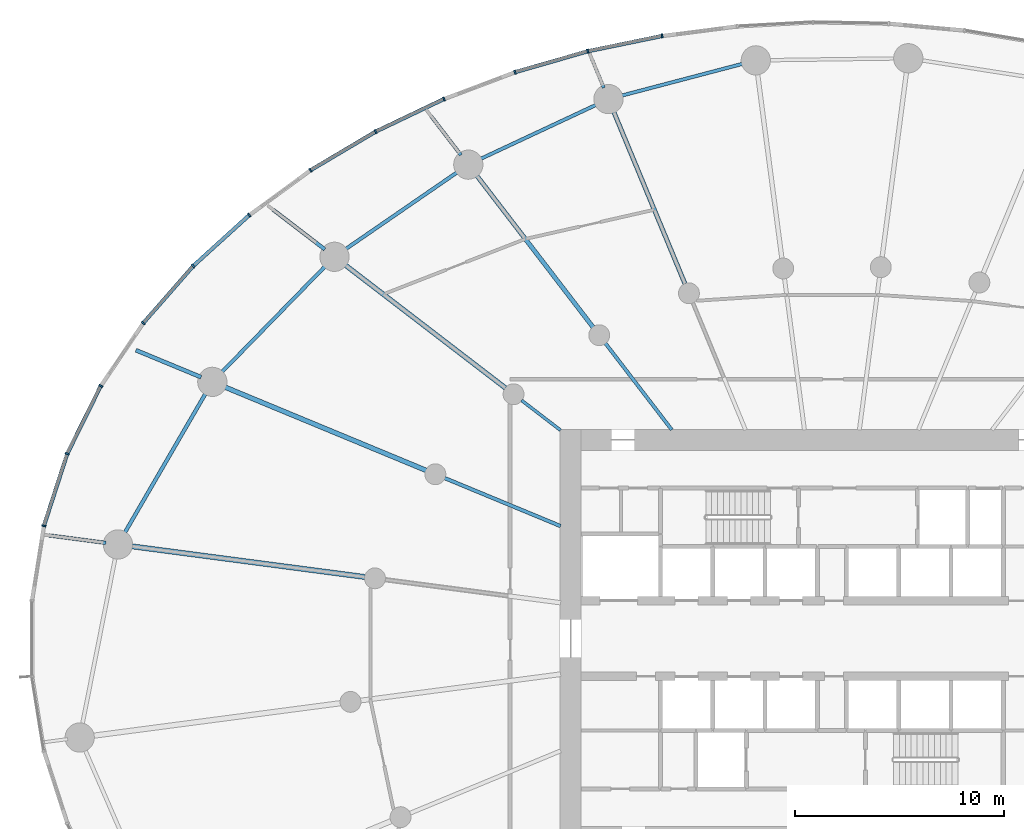
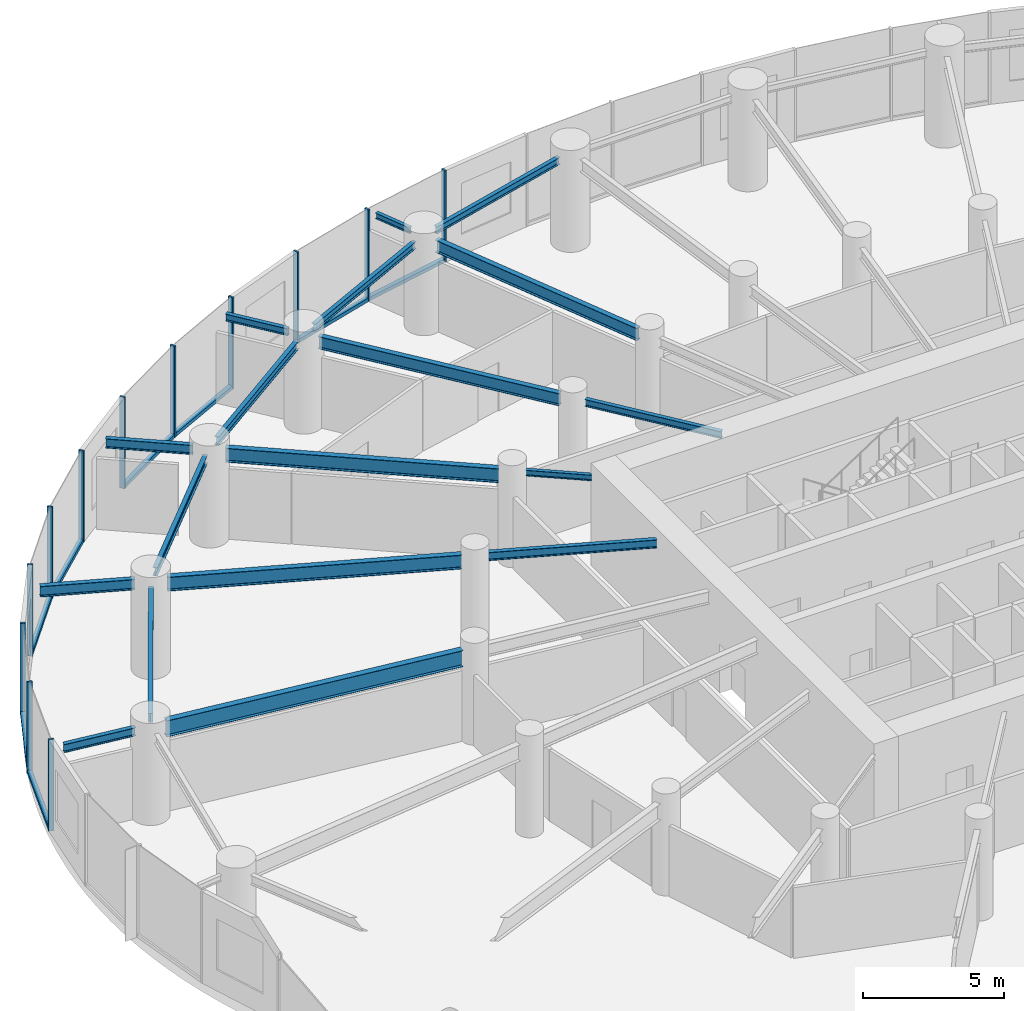
# One storey, part 6 of 19: 20 members, 18 beams, 3 elements without a shape of their own.
"""IFC4 building model written with IfcOpenShell, lengths in metres."""

from ifc_helpers import new_model, si_unit, direction, frame, origin, origin_2d, place, context, subcontext, project, spatial, rectangle, i_section, extrude, source, transform, mapped, material, layer, layer_set, material_profile, profile_set, type_object, element, aggregate, save


model = new_model("IFC4")

# Units and contexts
model_context = context("Model", 3, precision=1e-05, world=origin(), true_north=direction((0.0, 1.0)))
body_context = subcontext(model_context, "Body", "Model", "MODEL_VIEW")
ifc_project = project(units=[si_unit("LENGTHUNIT", "METRE"), si_unit("AREAUNIT", "SQUARE_METRE"), si_unit("VOLUMEUNIT", "CUBIC_METRE"), si_unit("PLANEANGLEUNIT", "RADIAN"), si_unit("MASSUNIT", "GRAM", prefix="KILO")], contexts=[model_context])

# Site, building, storey
site_placement = place(None, origin())
site = spatial("IfcSite", under=ifc_project, at=site_placement, CompositionType="ELEMENT")
building_placement = place(site_placement, origin())
building = spatial("IfcBuilding", under=site, at=building_placement, Name="Spindrift Exchange Tower", CompositionType="ELEMENT")
storey_placement = place(building_placement, frame((0.0, 0.0, 22.60009765625)))
storey = spatial("IfcBuildingStorey", under=building, at=storey_placement, Name="L05", CompositionType="ELEMENT", Elevation=22.60009765625)

# Beams
ifc_material_1 = material(Name="Steel Grade 300", Category="steel")
ifc_material_profile_1 = material_profile(ifc_material_1, i_section(OverallWidth=0.208984375, OverallDepth=0.532958984375, WebThickness=0.01025390625, FlangeThickness=0.015625, FilletRadius=0.013916015625, at=origin_2d()), Name="530UB92.4")
ifc_profile_set_1 = profile_set([ifc_material_profile_1], Name="Steel Grade 300")
beam_type_1 = type_object("IfcBeamType", Name="Floor Beam 530UB92.4 Steel Grade 300", PredefinedType="BEAM", material=ifc_profile_set_1)
shared_shape_1 = source(origin(), body_context, "Body", "SweptSolid", [
    extrude(i_section(OverallWidth=0.208984375, OverallDepth=0.532958984375, WebThickness=0.01025390625, FlangeThickness=0.015625, FilletRadius=0.013916015625, at=origin_2d()), origin(), (0.0, 0.0, 1.0), 8.99658203125),
])
beam_1_placement = place(storey_placement, frame((44.974609375, 64.9609375, 3.683349609375), z_axis=(-0.382685731718, 0.923878580085, 0.0), x_axis=(-0.923878580085, -0.382685731718, 0.0)))
element("IfcBeam", 1, at=beam_1_placement, inside=storey, type_object=beam_type_1, Name="L05 radial beam R08B", PredefinedType="BEAM", context=body_context, shape_type="MappedRepresentation", body=[
    mapped(shared_shape_1, transform((0.0, 0.0, 0.0), scale=1.0)),
])
ifc_material_profile_2 = material_profile(ifc_material_1, i_section(OverallWidth=0.1650390625, OverallDepth=0.303955078125, WebThickness=0.006103515625, FlangeThickness=0.01025390625, FilletRadius=0.011474609375, at=origin_2d()), Name="310UB40.4")
ifc_profile_set_2 = profile_set([ifc_material_profile_2], Name="Steel Grade 300")
beam_type_2 = type_object("IfcBeamType", Name="Floor Beam 310UB40.4 Steel Grade 300", PredefinedType="BEAM", material=ifc_profile_set_2)
shared_shape_2 = source(origin(), body_context, "Body", "SweptSolid", [
    extrude(i_section(OverallWidth=0.1650390625, OverallDepth=0.303955078125, WebThickness=0.006103515625, FlangeThickness=0.01025390625, FilletRadius=0.011474609375, at=origin_2d()), origin(), (0.0, 0.0, 1.0), 5.224609375),
])
beam_2_placement = place(storey_placement, frame((44.3388671875, 57.984130859375, 3.7978515625), z_axis=(-0.608741499316, 0.793368632485, 0.0), x_axis=(-0.793368632485, -0.608741499316, 0.0)))
element("IfcBeam", 2, at=beam_2_placement, inside=storey, type_object=beam_type_2, Name="L05 radial beam R09A", PredefinedType="BEAM", context=body_context, shape_type="MappedRepresentation", body=[
    mapped(shared_shape_2, transform((0.0, 0.0, 0.0), scale=1.0)),
])
shared_shape_3 = source(origin(), body_context, "Body", "SweptSolid", [
    extrude(i_section(OverallWidth=0.208984375, OverallDepth=0.532958984375, WebThickness=0.01025390625, FlangeThickness=0.015625, FilletRadius=0.013916015625, at=origin_2d()), origin(), (0.0, 0.0, 1.0), 9.227783203125),
])
beam_3_placement = place(storey_placement, frame((40.573974609375, 62.890625, 3.683349609375), z_axis=(-0.608747534474, 0.79336400175, 0.0), x_axis=(-0.79336400175, -0.608747534474, 0.0)))
element("IfcBeam", 3, at=beam_3_placement, inside=storey, type_object=beam_type_1, Name="L05 radial beam R09B", PredefinedType="BEAM", context=body_context, shape_type="MappedRepresentation", body=[
    mapped(shared_shape_3, transform((0.0, 0.0, 0.0), scale=1.0)),
])
ifc_material_profile_3 = material_profile(ifc_material_1, i_section(OverallWidth=0.14599609375, OverallDepth=0.251953125, WebThickness=0.006103515625, FlangeThickness=0.008544921875, FilletRadius=0.011962890625, at=origin_2d()), Name="250UB31.4")
ifc_profile_set_3 = profile_set([ifc_material_profile_3], Name="Steel Grade 300")
beam_type_3 = type_object("IfcBeamType", Name="Floor Beam 250UB31.4 Steel Grade 300", PredefinedType="BEAM", material=ifc_profile_set_3)
shared_shape_4 = source(origin(), body_context, "Body", "SweptSolid", [
    extrude(i_section(OverallWidth=0.14599609375, OverallDepth=0.251953125, WebThickness=0.006103515625, FlangeThickness=0.008544921875, FilletRadius=0.011962890625, at=origin_2d()), origin(), (0.0, 0.0, 1.0), 2.353759765625),
])
beam_4_placement = place(storey_placement, frame((39.015869140625, 57.963134765625, 3.823974609375), z_axis=(-0.793367573265, 0.608742879787, 0.0), x_axis=(-0.608742879787, -0.793367573265, 0.0)))
element("IfcBeam", 4, at=beam_4_placement, inside=storey, type_object=beam_type_3, Name="L05 radial beam R10A", PredefinedType="BEAM", context=body_context, shape_type="MappedRepresentation", body=[
    mapped(shared_shape_4, transform((0.0, 0.0, 0.0), scale=1.0)),
])
ifc_material_profile_4 = material_profile(ifc_material_1, i_section(OverallWidth=0.22802734375, OverallDepth=0.60693359375, WebThickness=0.01123046875, FlangeThickness=0.017333984375, FilletRadius=0.013916015625, at=origin_2d()), Name="610UB113")
ifc_profile_set_4 = profile_set([ifc_material_profile_4], Name="Steel Grade 300")
beam_type_4 = type_object("IfcBeamType", Name="Floor Beam 610UB113 Steel Grade 300", PredefinedType="BEAM", material=ifc_profile_set_4)
shared_shape_5 = source(origin(), body_context, "Body", "SweptSolid", [
    extrude(i_section(OverallWidth=0.22802734375, OverallDepth=0.60693359375, WebThickness=0.01123046875, FlangeThickness=0.017333984375, FilletRadius=0.013916015625, at=origin_2d()), origin(), (0.0, 0.0, 1.0), 9.73974609375),
])
beam_5_placement = place(storey_placement, frame((36.38671875, 59.98046875, 3.646484375), z_axis=(-0.793352119621, 0.608763019814, 0.0), x_axis=(-0.608763019814, -0.793352119621, 0.0)))
element("IfcBeam", 5, at=beam_5_placement, inside=storey, type_object=beam_type_4, Name="L05 radial beam R10B", PredefinedType="BEAM", context=body_context, shape_type="MappedRepresentation", body=[
    mapped(shared_shape_5, transform((0.0, 0.0, 0.0), scale=1.0)),
])
ifc_material_profile_5 = material_profile(ifc_material_1, i_section(OverallWidth=0.172119140625, OverallDepth=0.35888671875, WebThickness=0.008056640625, FlangeThickness=0.012939453125, FilletRadius=0.013916015625, at=origin_2d()), Name="360UB56.7")
ifc_profile_set_5 = profile_set([ifc_material_profile_5], Name="Steel Grade 300")
beam_type_5 = type_object("IfcBeamType", Name="Floor Beam 360UB56.7 Steel Grade 300", PredefinedType="BEAM", material=ifc_profile_set_5)
shared_shape_6 = source(origin(), body_context, "Body", "SweptSolid", [
    extrude(i_section(OverallWidth=0.172119140625, OverallDepth=0.35888671875, WebThickness=0.008056640625, FlangeThickness=0.012939453125, FilletRadius=0.013916015625, at=origin_2d()), origin(), (0.0, 0.0, 1.0), 6.004638671875),
])
beam_6_placement = place(storey_placement, frame((39.0185546875, 53.377197265625, 3.7705078125), z_axis=(-0.923882044911, 0.38267736684, 0.0), x_axis=(-0.38267736684, -0.923882044911, 0.0)))
element("IfcBeam", 6, at=beam_6_placement, inside=storey, type_object=beam_type_5, Name="L05 radial beam R11A", PredefinedType="BEAM", context=body_context, shape_type="MappedRepresentation", body=[
    mapped(shared_shape_6, transform((0.0, 0.0, 0.0), scale=1.0)),
])
shared_shape_7 = source(origin(), body_context, "Body", "SweptSolid", [
    extrude(i_section(OverallWidth=0.22802734375, OverallDepth=0.60693359375, WebThickness=0.01123046875, FlangeThickness=0.017333984375, FilletRadius=0.013916015625, at=origin_2d()), origin(), (0.0, 0.0, 1.0), 10.4912109375),
])
beam_7_placement = place(storey_placement, frame((32.583984375, 56.04248046875, 3.646484375), z_axis=(-0.923885231151, 0.382669674342, 0.0), x_axis=(-0.382669674342, -0.923885231151, 0.0)))
element("IfcBeam", 7, at=beam_7_placement, inside=storey, type_object=beam_type_4, Name="L05 radial beam R11B", PredefinedType="BEAM", context=body_context, shape_type="MappedRepresentation", body=[
    mapped(shared_shape_7, transform((0.0, 0.0, 0.0), scale=1.0)),
])
ifc_material_profile_6 = material_profile(ifc_material_1, i_section(OverallWidth=0.25, OverallDepth=0.699951171875, WebThickness=0.008056640625, FlangeThickness=0.011962890625, at=origin_2d()), Name="700WB115")
ifc_profile_set_6 = profile_set([ifc_material_profile_6], Name="Steel Grade 300")
beam_type_6 = type_object("IfcBeamType", Name="Floor Beam 700WB115 Steel Grade 300", PredefinedType="BEAM", material=ifc_profile_set_6)
shared_shape_8 = source(origin(), body_context, "Body", "SweptSolid", [
    extrude(i_section(OverallWidth=0.25, OverallDepth=0.699951171875, WebThickness=0.008056640625, FlangeThickness=0.011962890625, at=origin_2d()), origin(), (0.0, 0.0, 1.0), 11.34423828125),
])
beam_8_placement = place(storey_placement, frame((29.660888671875, 50.94091796875, 3.599853515625), z_axis=(-0.991444770187, 0.130526884848, 0.0), x_axis=(-0.130526884848, -0.991444770187, 0.0)))
element("IfcBeam", 8, at=beam_8_placement, inside=storey, type_object=beam_type_6, Name="L05 radial beam R12B", PredefinedType="BEAM", context=body_context, shape_type="MappedRepresentation", body=[
    mapped(shared_shape_8, transform((0.0, 0.0, 0.0), scale=1.0)),
])
ifc_material_profile_7 = material_profile(ifc_material_1, i_section(OverallWidth=0.1650390625, OverallDepth=0.303955078125, WebThickness=0.006103515625, FlangeThickness=0.01025390625, FilletRadius=0.011474609375, at=origin_2d()), Name="310UB40.4")
ifc_profile_set_7 = profile_set([ifc_material_profile_7], Name="Steel Grade 300")
beam_type_7 = type_object("IfcBeamType", Name="Edge Beam 310UB40.4 Steel Grade 300", PredefinedType="SPANDREL", material=ifc_profile_set_7)
shared_shape_9 = source(origin(), body_context, "Body", "SweptSolid", [
    extrude(i_section(OverallWidth=0.1650390625, OverallDepth=0.303955078125, WebThickness=0.006103515625, FlangeThickness=0.01025390625, FilletRadius=0.011474609375, at=origin_2d()), origin(), (0.0, 0.0, 1.0), 6.128173828125),
])
beam_9_placement = place(storey_placement, frame((47.79736328125, 75.513916015625, 3.7978515625), z_axis=(-0.967147261855, -0.254216785216, 0.0), x_axis=(0.254216785216, -0.967147261855, 0.0)))
element("IfcBeam", 9, at=beam_9_placement, inside=storey, type_object=beam_type_7, Name="L05 edge beam E07", PredefinedType="SPANDREL", context=body_context, shape_type="MappedRepresentation", body=[
    mapped(shared_shape_9, transform((0.0, 0.0, 0.0), scale=1.0)),
])
shared_shape_10 = source(origin(), body_context, "Body", "SweptSolid", [
    extrude(i_section(OverallWidth=0.1650390625, OverallDepth=0.303955078125, WebThickness=0.006103515625, FlangeThickness=0.01025390625, FilletRadius=0.011474609375, at=origin_2d()), origin(), (0.0, 0.0, 1.0), 6.243408203125),
])
beam_10_placement = place(storey_placement, frame((40.7841796875, 73.56298828125, 3.7978515625), z_axis=(-0.905791146607, -0.423724437257, 0.0), x_axis=(0.423724437257, -0.905791146607, 0.0)))
element("IfcBeam", 10, at=beam_10_placement, inside=storey, type_object=beam_type_7, Name="L05 edge beam E08", PredefinedType="SPANDREL", context=body_context, shape_type="MappedRepresentation", body=[
    mapped(shared_shape_10, transform((0.0, 0.0, 0.0), scale=1.0)),
])
ifc_material_profile_8 = material_profile(ifc_material_1, i_section(OverallWidth=0.172119140625, OverallDepth=0.35888671875, WebThickness=0.008056640625, FlangeThickness=0.012939453125, FilletRadius=0.013916015625, at=origin_2d()), Name="360UB56.7")
ifc_profile_set_8 = profile_set([ifc_material_profile_8], Name="Steel Grade 300")
beam_type_8 = type_object("IfcBeamType", Name="Edge Beam 360UB56.7 Steel Grade 300", PredefinedType="SPANDREL", material=ifc_profile_set_8)
shared_shape_11 = source(origin(), body_context, "Body", "SweptSolid", [
    extrude(i_section(OverallWidth=0.172119140625, OverallDepth=0.35888671875, WebThickness=0.008056640625, FlangeThickness=0.012939453125, FilletRadius=0.013916015625, at=origin_2d()), origin(), (0.0, 0.0, 1.0), 6.614990234375),
])
beam_11_placement = place(storey_placement, frame((34.125732421875, 70.3427734375, 3.7705078125), z_axis=(-0.823690708835, -0.567039342708, 0.0), x_axis=(0.567039342708, -0.823690708835, 0.0)))
element("IfcBeam", 11, at=beam_11_placement, inside=storey, type_object=beam_type_8, Name="L05 edge beam E09", PredefinedType="SPANDREL", context=body_context, shape_type="MappedRepresentation", body=[
    mapped(shared_shape_11, transform((0.0, 0.0, 0.0), scale=1.0)),
])
shared_shape_12 = source(origin(), body_context, "Body", "SweptSolid", [
    extrude(i_section(OverallWidth=0.172119140625, OverallDepth=0.35888671875, WebThickness=0.008056640625, FlangeThickness=0.012939453125, FilletRadius=0.013916015625, at=origin_2d()), origin(), (0.0, 0.0, 1.0), 7.2041015625),
])
beam_12_placement = place(storey_placement, frame((27.794189453125, 65.847900390625, 3.7705078125), z_axis=(-0.698703626006, -0.715411240481, 0.0), x_axis=(0.715411240481, -0.698703626006, 0.0)))
element("IfcBeam", 12, at=beam_12_placement, inside=storey, type_object=beam_type_8, Name="L05 edge beam E10", PredefinedType="SPANDREL", context=body_context, shape_type="MappedRepresentation", body=[
    mapped(shared_shape_12, transform((0.0, 0.0, 0.0), scale=1.0)),
])
ifc_material_profile_9 = material_profile(ifc_material_1, i_section(OverallWidth=0.177978515625, OverallDepth=0.406005859375, WebThickness=0.0078125, FlangeThickness=0.0126953125, FilletRadius=0.013916015625, at=origin_2d()), Name="410UB59.7")
ifc_profile_set_9 = profile_set([ifc_material_profile_9], Name="Steel Grade 300")
beam_type_9 = type_object("IfcBeamType", Name="Edge Beam 410UB59.7 Steel Grade 300", PredefinedType="SPANDREL", material=ifc_profile_set_9)
shared_shape_13 = source(origin(), body_context, "Body", "SweptSolid", [
    extrude(i_section(OverallWidth=0.177978515625, OverallDepth=0.406005859375, WebThickness=0.0078125, FlangeThickness=0.0126953125, FilletRadius=0.013916015625, at=origin_2d()), origin(), (0.0, 0.0, 1.0), 7.837646484375),
])
beam_13_placement = place(storey_placement, frame((22.064208984375, 59.777587890625, 3.746826171875), z_axis=(-0.50198145655, -0.864878382942, 0.0), x_axis=(0.864878382942, -0.50198145655, 0.0)))
element("IfcBeam", 13, at=beam_13_placement, inside=storey, type_object=beam_type_9, Name="L05 edge beam E11", PredefinedType="SPANDREL", context=body_context, shape_type="MappedRepresentation", body=[
    mapped(shared_shape_13, transform((0.0, 0.0, 0.0), scale=1.0)),
])
ifc_material_profile_10 = material_profile(ifc_material_1, i_section(OverallWidth=0.14599609375, OverallDepth=0.251953125, WebThickness=0.006103515625, FlangeThickness=0.008544921875, FilletRadius=0.011962890625, at=origin_2d()), Name="250UB31.4")
ifc_profile_set_10 = profile_set([ifc_material_profile_10], Name="Steel Grade 300")
beam_type_10 = type_object("IfcBeamType", Name="Cantilever Beam 250UB31.4 Steel Grade 300", PredefinedType="BEAM", material=ifc_profile_set_10)
shared_shape_14 = source(origin(), body_context, "Body", "SweptSolid", [
    extrude(i_section(OverallWidth=0.14599609375, OverallDepth=0.251953125, WebThickness=0.006103515625, FlangeThickness=0.008544921875, FilletRadius=0.011962890625, at=origin_2d()), origin(), (0.0, 0.0, 1.0), 1.5302734375),
])
beam_14_placement = place(storey_placement, frame((41.087890625, 74.344482421875, 3.823974609375), z_axis=(-0.382722820897, 0.923863216263, 0.0), x_axis=(-0.923863216263, -0.382722820897, 0.0)))
element("IfcBeam", 14, at=beam_14_placement, inside=storey, type_object=beam_type_10, Name="L05 cantilever beam R08T", PredefinedType="BEAM", context=body_context, shape_type="MappedRepresentation", body=[
    mapped(shared_shape_14, transform((0.0, 0.0, 0.0), scale=1.0)),
])
ifc_material_profile_11 = material_profile(ifc_material_1, i_section(OverallWidth=0.1650390625, OverallDepth=0.303955078125, WebThickness=0.006103515625, FlangeThickness=0.01025390625, FilletRadius=0.011474609375, at=origin_2d()), Name="310UB40.4")
ifc_profile_set_11 = profile_set([ifc_material_profile_11], Name="Steel Grade 300")
beam_type_11 = type_object("IfcBeamType", Name="Cantilever Beam 310UB40.4 Steel Grade 300", PredefinedType="BEAM", material=ifc_profile_set_11)
shared_shape_15 = source(origin(), body_context, "Body", "SweptSolid", [
    extrude(i_section(OverallWidth=0.1650390625, OverallDepth=0.303955078125, WebThickness=0.006103515625, FlangeThickness=0.01025390625, FilletRadius=0.011474609375, at=origin_2d()), origin(), (0.0, 0.0, 1.0), 2.39404296875),
])
beam_15_placement = place(storey_placement, frame((34.250244140625, 71.1318359375, 3.7978515625), z_axis=(-0.608709824123, 0.793392935446, 0.0), x_axis=(-0.793392935446, -0.608709824123, 0.0)))
element("IfcBeam", 15, at=beam_15_placement, inside=storey, type_object=beam_type_11, Name="L05 cantilever beam R09T", PredefinedType="BEAM", context=body_context, shape_type="MappedRepresentation", body=[
    mapped(shared_shape_15, transform((0.0, 0.0, 0.0), scale=1.0)),
])
ifc_material_profile_12 = material_profile(ifc_material_1, i_section(OverallWidth=0.177978515625, OverallDepth=0.406005859375, WebThickness=0.0078125, FlangeThickness=0.0126953125, FilletRadius=0.013916015625, at=origin_2d()), Name="410UB59.7")
ifc_profile_set_12 = profile_set([ifc_material_profile_12], Name="Steel Grade 300")
beam_type_12 = type_object("IfcBeamType", Name="Cantilever Beam 410UB59.7 Steel Grade 300", PredefinedType="BEAM", material=ifc_profile_set_12)
shared_shape_16 = source(origin(), body_context, "Body", "SweptSolid", [
    extrude(i_section(OverallWidth=0.177978515625, OverallDepth=0.406005859375, WebThickness=0.0078125, FlangeThickness=0.0126953125, FilletRadius=0.013916015625, at=origin_2d()), origin(), (0.0, 0.0, 1.0), 3.114501953125),
])
beam_16_placement = place(storey_placement, frame((27.7392578125, 66.615966796875, 3.746826171875), z_axis=(-0.793395606954, 0.608706342061, 0.0), x_axis=(-0.608706342061, -0.793395606954, 0.0)))
element("IfcBeam", 16, at=beam_16_placement, inside=storey, type_object=beam_type_12, Name="L05 cantilever beam R10T", PredefinedType="BEAM", context=body_context, shape_type="MappedRepresentation", body=[
    mapped(shared_shape_16, transform((0.0, 0.0, 0.0), scale=1.0)),
])
ifc_material_profile_13 = material_profile(ifc_material_1, i_section(OverallWidth=0.18994140625, OverallDepth=0.45703125, WebThickness=0.009033203125, FlangeThickness=0.014404296875, FilletRadius=0.013916015625, at=origin_2d()), Name="460UB74.6")
ifc_profile_set_13 = profile_set([ifc_material_profile_13], Name="Steel Grade 300")
beam_type_13 = type_object("IfcBeamType", Name="Cantilever Beam 460UB74.6 Steel Grade 300", PredefinedType="BEAM", material=ifc_profile_set_13)
shared_shape_17 = source(origin(), body_context, "Body", "SweptSolid", [
    extrude(i_section(OverallWidth=0.18994140625, OverallDepth=0.45703125, WebThickness=0.009033203125, FlangeThickness=0.014404296875, FilletRadius=0.013916015625, at=origin_2d()), origin(), (0.0, 0.0, 1.0), 3.376953125),
])
beam_17_placement = place(storey_placement, frame((21.819580078125, 60.501220703125, 3.721435546875), z_axis=(-0.923885542114, 0.382668923578, 0.0), x_axis=(-0.382668923578, -0.923885542114, 0.0)))
element("IfcBeam", 17, at=beam_17_placement, inside=storey, type_object=beam_type_13, Name="L05 cantilever beam R11T", PredefinedType="BEAM", context=body_context, shape_type="MappedRepresentation", body=[
    mapped(shared_shape_17, transform((0.0, 0.0, 0.0), scale=1.0)),
])
ifc_material_profile_14 = material_profile(ifc_material_1, i_section(OverallWidth=0.172119140625, OverallDepth=0.35888671875, WebThickness=0.008056640625, FlangeThickness=0.012939453125, FilletRadius=0.013916015625, at=origin_2d()), Name="360UB56.7")
ifc_profile_set_14 = profile_set([ifc_material_profile_14], Name="Steel Grade 300")
beam_type_14 = type_object("IfcBeamType", Name="Cantilever Beam 360UB56.7 Steel Grade 300", PredefinedType="BEAM", material=ifc_profile_set_14)
shared_shape_18 = source(origin(), body_context, "Body", "SweptSolid", [
    extrude(i_section(OverallWidth=0.172119140625, OverallDepth=0.35888671875, WebThickness=0.008056640625, FlangeThickness=0.012939453125, FilletRadius=0.013916015625, at=origin_2d()), origin(), (0.0, 0.0, 1.0), 2.73486328125),
])
beam_18_placement = place(storey_placement, frame((17.263916015625, 52.572998046875, 3.7705078125), z_axis=(-0.991446393615, 0.130514553166, 0.0), x_axis=(-0.130514553166, -0.991446393615, 0.0)))
element("IfcBeam", 18, at=beam_18_placement, inside=storey, type_object=beam_type_14, Name="L05 cantilever beam R12T", PredefinedType="BEAM", context=body_context, shape_type="MappedRepresentation", body=[
    mapped(shared_shape_18, transform((0.0, 0.0, 0.0), scale=1.0)),
])

# Curtain wall, member
ifc_material_2 = material(Name="Fritted laminated glass with bronze frame", Category="glass")
ifc_layer = layer(ifc_material_2, 0.199951171875)
ifc_layer_set = layer_set([ifc_layer], Name="ZONE 1 BRONZE FRITTED WALL")
curtain_wall_type = type_object("IfcCurtainWallType", Name="ZONE 1 BRONZE FRITTED WALL", PredefinedType="NOTDEFINED", material=ifc_layer_set)
curtain_wall_1_placement = place(storey_placement, origin())
curtain_wall_1 = element("IfcCurtainWall", 19, at=curtain_wall_1_placement, inside=storey, type_object=curtain_wall_type, Name="L05 Zone 1 Bronze Fritted Wall run 3", PredefinedType="NOTDEFINED")
ifc_material_3 = material(Name="Bronze anodised aluminium", Category="aluminium")
ifc_material_profile_15 = material_profile(ifc_material_3, rectangle(XDim=0.080078125, YDim=0.199951171875, at=origin_2d()), Name="ZONE 1 BRONZE FRITTED WALL MULLION 80X200")
ifc_profile_set_15 = profile_set([ifc_material_profile_15], Name="Bronze anodised aluminium")
member_type_1 = type_object("IfcMemberType", Name="ZONE 1 BRONZE FRITTED WALL MULLION 80X200", PredefinedType="MULLION", material=ifc_profile_set_15)
shared_shape_19 = source(origin(), body_context, "Body", "SweptSolid", [
    extrude(rectangle(XDim=0.080078125, YDim=0.199951171875, at=origin_2d()), origin(), (0.0, 0.0, 1.0), 3.949951171875),
])
member_1_placement = place(storey_placement, frame((43.873291015625, 76.830078125, 0.0), z_axis=(0.0, 0.0, 1.0), x_axis=(-0.986321176845, -0.164834875275, 0.0)))
member_1 = element("IfcMember", 20, at=member_1_placement, type_object=member_type_1, Name="L05 mullion CW-1.18", PredefinedType="MULLION", context=body_context, shape_type="MappedRepresentation", body=[
    mapped(shared_shape_19, transform((0.0, 0.0, 0.0), scale=1.0)),
])

# Curtain wall, members
curtain_wall_2_placement = place(storey_placement, origin())
curtain_wall_2 = element("IfcCurtainWall", 21, at=curtain_wall_2_placement, inside=storey, type_object=curtain_wall_type, Name="L05 Zone 1 Bronze Fritted Wall run 4", PredefinedType="NOTDEFINED")
member_2_placement = place(storey_placement, frame((40.320556640625, 76.0986328125, 0.0), z_axis=(0.0, 0.0, 1.0), x_axis=(-0.970953934717, -0.23926649715, 0.0)))
member_2 = element("IfcMember", 22, at=member_2_placement, type_object=member_type_1, Name="L05 mullion CW-1.19", PredefinedType="MULLION", context=body_context, shape_type="MappedRepresentation", body=[
    mapped(shared_shape_19, transform((0.0, 0.0, 0.0), scale=1.0)),
])
member_3_placement = place(storey_placement, frame((36.834716796875, 75.095458984375, 0.0), z_axis=(0.0, 0.0, 1.0), x_axis=(-0.949100307428, -0.314973977401, 0.0)))
member_3 = element("IfcMember", 23, at=member_3_placement, type_object=member_type_1, Name="L05 mullion CW-1.20", PredefinedType="MULLION", context=body_context, shape_type="MappedRepresentation", body=[
    mapped(shared_shape_19, transform((0.0, 0.0, 0.0), scale=1.0)),
])
member_4_placement = place(storey_placement, frame((33.44091796875, 73.8154296875, 0.0), z_axis=(0.0, 0.0, 1.0), x_axis=(-0.919884060826, -0.392190406103, 0.0)))
member_4 = element("IfcMember", 24, at=member_4_placement, type_object=member_type_1, Name="L05 mullion CW-1.21", PredefinedType="MULLION", context=body_context, shape_type="MappedRepresentation", body=[
    mapped(shared_shape_19, transform((0.0, 0.0, 0.0), scale=1.0)),
])
member_5_placement = place(storey_placement, frame((30.16748046875, 72.2529296875, 0.0), z_axis=(0.0, 0.0, 1.0), x_axis=(-0.882121824938, -0.4710213222, 0.0)))
member_5 = element("IfcMember", 25, at=member_5_placement, type_object=member_type_1, Name="L05 mullion CW-1.22", PredefinedType="MULLION", context=body_context, shape_type="MappedRepresentation", body=[
    mapped(shared_shape_19, transform((0.0, 0.0, 0.0), scale=1.0)),
])
member_6_placement = place(storey_placement, frame((27.048583984375, 70.402099609375, 0.0), z_axis=(0.0, 0.0, 1.0), x_axis=(-0.834295578557, -0.551317410935, 0.0)))
member_6 = element("IfcMember", 26, at=member_6_placement, type_object=member_type_1, Name="L05 mullion CW-1.23", PredefinedType="MULLION", context=body_context, shape_type="MappedRepresentation", body=[
    mapped(shared_shape_19, transform((0.0, 0.0, 0.0), scale=1.0)),
])
member_7_placement = place(storey_placement, frame((24.123046875, 68.2587890625, 0.0), z_axis=(0.0, 0.0, 1.0), x_axis=(-0.774543413522, -0.632520751099, 0.0)))
member_7 = element("IfcMember", 27, at=member_7_placement, type_object=member_type_1, Name="L05 mullion CW-1.24", PredefinedType="MULLION", context=body_context, shape_type="MappedRepresentation", body=[
    mapped(shared_shape_19, transform((0.0, 0.0, 0.0), scale=1.0)),
])

curtain_wall_3_placement = place(storey_placement, origin())
curtain_wall_3 = element("IfcCurtainWall", 28, at=curtain_wall_3_placement, inside=storey, type_object=curtain_wall_type, Name="L05 Zone 1 Bronze Fritted Wall run 5", PredefinedType="NOTDEFINED")
member_8_placement = place(storey_placement, frame((21.4384765625, 65.82080078125, 0.0), z_axis=(0.0, 0.0, 1.0), x_axis=(-0.700723074347, -0.713433369753, 0.0)))
member_8 = element("IfcMember", 29, at=member_8_placement, type_object=member_type_1, Name="L05 mullion CW-1.25", PredefinedType="MULLION", context=body_context, shape_type="MappedRepresentation", body=[
    mapped(shared_shape_19, transform((0.0, 0.0, 0.0), scale=1.0)),
])
member_9_placement = place(storey_placement, frame((19.04931640625, 63.093017578125, 0.0), z_axis=(0.0, 0.0, 1.0), x_axis=(-0.610695844743, -0.791865256981, 0.0)))
member_9 = element("IfcMember", 30, at=member_9_placement, type_object=member_type_1, Name="L05 mullion CW-1.26", PredefinedType="MULLION", context=body_context, shape_type="MappedRepresentation", body=[
    mapped(shared_shape_19, transform((0.0, 0.0, 0.0), scale=1.0)),
])
member_10_placement = place(storey_placement, frame((17.018310546875, 60.089599609375, 0.0), z_axis=(0.0, 0.0, 1.0), x_axis=(-0.502772312764, -0.86441888082, 0.0)))
member_10 = element("IfcMember", 31, at=member_10_placement, type_object=member_type_1, Name="L05 mullion CW-1.27", PredefinedType="MULLION", context=body_context, shape_type="MappedRepresentation", body=[
    mapped(shared_shape_19, transform((0.0, 0.0, 0.0), scale=1.0)),
])
member_11_placement = place(storey_placement, frame((15.412109375, 56.839599609375, 0.0), z_axis=(0.0, 0.0, 1.0), x_axis=(-0.376526512453, -0.926405842717, 0.0)))
member_11 = element("IfcMember", 32, at=member_11_placement, type_object=member_type_1, Name="L05 mullion CW-1.28", PredefinedType="MULLION", context=body_context, shape_type="MappedRepresentation", body=[
    mapped(shared_shape_19, transform((0.0, 0.0, 0.0), scale=1.0)),
])
member_12_placement = place(storey_placement, frame((14.2958984375, 53.39111328125, 0.0), z_axis=(0.0, 0.0, 1.0), x_axis=(-0.233790990177, -0.972286877888, 0.0)))
member_12 = element("IfcMember", 33, at=member_12_placement, type_object=member_type_1, Name="L05 mullion CW-1.29", PredefinedType="MULLION", context=body_context, shape_type="MappedRepresentation", body=[
    mapped(shared_shape_19, transform((0.0, 0.0, 0.0), scale=1.0)),
])
ifc_material_profile_16 = material_profile(ifc_material_3, rectangle(XDim=0.179931640625, YDim=0.14990234375, at=origin_2d()), Name="ZONE 1 BRONZE FRITTED WALL TRANSOM 180X150")
ifc_profile_set_16 = profile_set([ifc_material_profile_16], Name="Bronze anodised aluminium")
member_type_2 = type_object("IfcMemberType", Name="ZONE 1 BRONZE FRITTED WALL TRANSOM 180X150", PredefinedType="USERDEFINED", material=ifc_profile_set_16)
shared_shape_20 = source(origin(), body_context, "Body", "SweptSolid", [
    extrude(rectangle(XDim=0.179931640625, YDim=0.14990234375, at=origin_2d()), origin(), (0.0, 0.0, 1.0), 3.544921875),
])
member_13_placement = place(storey_placement, frame((15.39990234375, 56.801513671875, 0.074951171875), z_axis=(-0.307992647484, -0.951388737108, 0.0), x_axis=(0.951388737108, -0.307992647484, 0.0)))
member_13 = element("IfcMember", 34, at=member_13_placement, type_object=member_type_2, Name="L05 transom CW-1.28", ObjectType="TRANSOM", PredefinedType="USERDEFINED", context=body_context, shape_type="MappedRepresentation", body=[
    mapped(shared_shape_20, transform((0.0, 0.0, 0.0), scale=1.0)),
])
shared_shape_21 = source(origin(), body_context, "Body", "SweptSolid", [
    extrude(rectangle(XDim=0.179931640625, YDim=0.14990234375, at=origin_2d()), origin(), (0.0, 0.0, 1.0), 3.546142578125),
])
member_14_placement = place(storey_placement, frame((21.412109375, 65.790771484375, 0.074951171875), z_axis=(-0.658850593066, -0.752273817182, 0.0), x_axis=(0.752273817182, -0.658850593066, 0.0)))
member_14 = element("IfcMember", 35, at=member_14_placement, type_object=member_type_2, Name="L05 transom CW-1.25", ObjectType="TRANSOM", PredefinedType="USERDEFINED", context=body_context, shape_type="MappedRepresentation", body=[
    mapped(shared_shape_21, transform((0.0, 0.0, 0.0), scale=1.0)),
])

# Member
shared_shape_22 = source(origin(), body_context, "Body", "SweptSolid", [
    extrude(rectangle(XDim=0.179931640625, YDim=0.14990234375, at=origin_2d()), origin(), (0.0, 0.0, 1.0), 3.546875),
])
member_15_placement = place(storey_placement, frame((30.13330078125, 72.232666015625, 0.074951171875), z_axis=(-0.859985024199, -0.510319270803, 0.0), x_axis=(0.510319270803, -0.859985024199, 0.0)))
member_15 = element("IfcMember", 36, at=member_15_placement, type_object=member_type_2, Name="L05 transom CW-1.22", ObjectType="TRANSOM", PredefinedType="USERDEFINED", context=body_context, shape_type="MappedRepresentation", body=[
    mapped(shared_shape_22, transform((0.0, 0.0, 0.0), scale=1.0)),
])

shared_shape_23 = source(origin(), body_context, "Body", "SweptSolid", [
    extrude(rectangle(XDim=0.179931640625, YDim=0.14990234375, at=origin_2d()), origin(), (0.0, 0.0, 1.0), 3.54736328125),
])
member_16_placement = place(storey_placement, frame((43.834228515625, 76.822021484375, 0.074951171875), z_axis=(-0.979458642383, -0.201645153329, 0.0), x_axis=(0.201645153329, -0.979458642383, 0.0)))
member_16 = element("IfcMember", 37, at=member_16_placement, type_object=member_type_2, Name="L05 transom CW-1.18", ObjectType="TRANSOM", PredefinedType="USERDEFINED", context=body_context, shape_type="MappedRepresentation", body=[
    mapped(shared_shape_23, transform((0.0, 0.0, 0.0), scale=1.0)),
])

aggregate(curtain_wall_1, [member_1, member_16])

member_17_placement = place(storey_placement, frame((40.281982421875, 76.087646484375, 0.074951171875), z_axis=(-0.960984503032, -0.276602214258, 0.0), x_axis=(0.276602214258, -0.960984503032, 0.0)))
member_17 = element("IfcMember", 38, at=member_17_placement, type_object=member_type_2, Name="L05 transom CW-1.19", ObjectType="TRANSOM", PredefinedType="USERDEFINED", context=body_context, shape_type="MappedRepresentation", body=[
    mapped(shared_shape_23, transform((0.0, 0.0, 0.0), scale=1.0)),
])

shared_shape_24 = source(origin(), body_context, "Body", "SweptSolid", [
    extrude(rectangle(XDim=0.179931640625, YDim=0.14990234375, at=origin_2d()), origin(), (0.0, 0.0, 1.0), 3.547119140625),
])
member_18_placement = place(storey_placement, frame((33.40478515625, 73.79833984375, 0.074951171875), z_axis=(-0.902454281406, -0.430785642718, 0.0), x_axis=(0.430785642718, -0.902454281406, 0.0)))
member_18 = element("IfcMember", 39, at=member_18_placement, type_object=member_type_2, Name="L05 transom CW-1.21", ObjectType="TRANSOM", PredefinedType="USERDEFINED", context=body_context, shape_type="MappedRepresentation", body=[
    mapped(shared_shape_24, transform((0.0, 0.0, 0.0), scale=1.0)),
])

shared_shape_25 = source(origin(), body_context, "Body", "SweptSolid", [
    extrude(rectangle(XDim=0.179931640625, YDim=0.14990234375, at=origin_2d()), origin(), (0.0, 0.0, 1.0), 3.54638671875),
])
member_19_placement = place(storey_placement, frame((24.093505859375, 68.231689453125, 0.074951171875), z_axis=(-0.740329328552, -0.672244364265, 0.0), x_axis=(0.672244364265, -0.740329328552, 0.0)))
member_19 = element("IfcMember", 40, at=member_19_placement, type_object=member_type_2, Name="L05 transom CW-1.24", ObjectType="TRANSOM", PredefinedType="USERDEFINED", context=body_context, shape_type="MappedRepresentation", body=[
    mapped(shared_shape_25, transform((0.0, 0.0, 0.0), scale=1.0)),
])

aggregate(curtain_wall_2, [member_2, member_17, member_3, member_4, member_18, member_5, member_15, member_6, member_7, member_19])

shared_shape_26 = source(origin(), body_context, "Body", "SweptSolid", [
    extrude(rectangle(XDim=0.179931640625, YDim=0.14990234375, at=origin_2d()), origin(), (0.0, 0.0, 1.0), 3.545166015625),
])
member_20_placement = place(storey_placement, frame((17.000732421875, 60.0537109375, 0.074951171875), z_axis=(-0.443076928043, -0.89648359485, 0.0), x_axis=(0.89648359485, -0.443076928043, 0.0)))
member_20 = element("IfcMember", 41, at=member_20_placement, type_object=member_type_2, Name="L05 transom CW-1.27", ObjectType="TRANSOM", PredefinedType="USERDEFINED", context=body_context, shape_type="MappedRepresentation", body=[
    mapped(shared_shape_26, transform((0.0, 0.0, 0.0), scale=1.0)),
])

aggregate(curtain_wall_3, [member_8, member_14, member_9, member_10, member_20, member_11, member_13, member_12])

save(model, "model.ifc")
